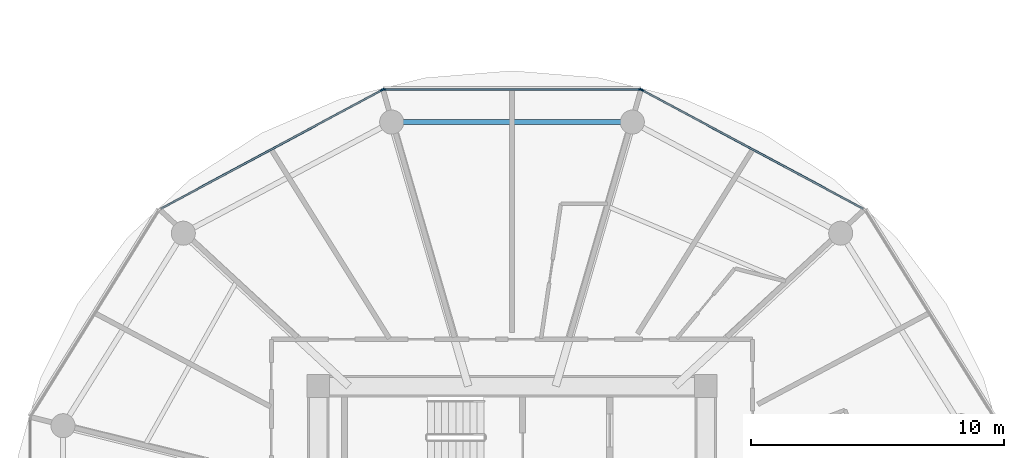
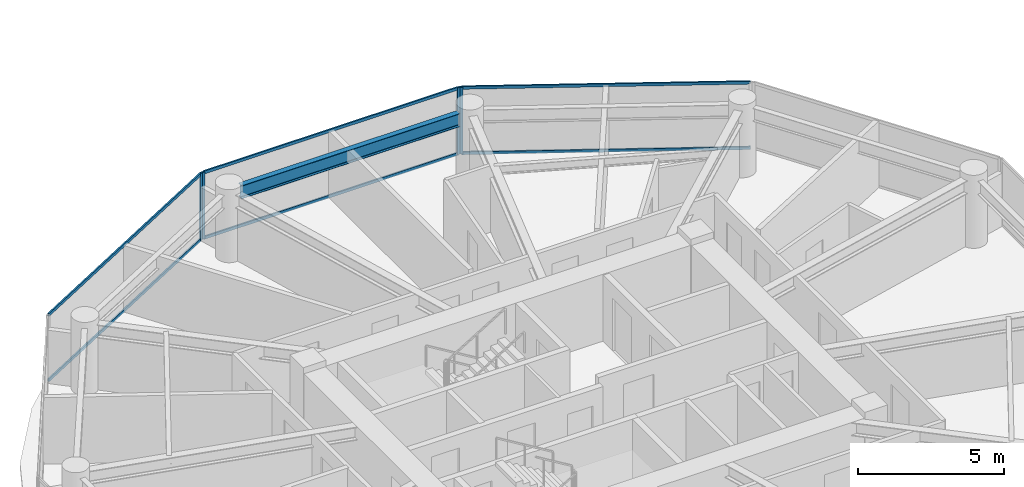
# One storey, part 9 of 26: 10 members, 1 beam, 3 elements without a shape of their own.
"""IFC4 building model written with IfcOpenShell, lengths in metres."""

import ifcopenshell
import ifcopenshell.guid

model = None  # the IFC model being written
_history = None  # IfcOwnerHistory: only IFC2X3 demands one
_inside = {}  # id of a spatial element -> (the spatial element, [elements in it])
_under = {}  # id of a project, library or spatial element -> (it, [spatial elements below it])
_declared = {}  # id of a project -> (the project, [libraries it declares])
_typed = {}  # id of a type object -> (the type object, [elements of that type])
_made_of = {}  # id of a material, layer set ... -> (it, [elements and type objects made of it])


def new_model(schema):
    """Start an empty IFC model of exactly this schema.

    Asked for "IFC4X3", IfcOpenShell would pick the latest addendum, in which some entities
    have other attributes; the version numbers below select the first issue.
    IFC2X3 requires an IfcOwnerHistory on every rooted entity: one is made here for all.
    """
    global model, _history
    if schema == "IFC4X3":
        model = ifcopenshell.file(schema_version=(4, 3, 0, 0))
    else:
        model = ifcopenshell.file(schema=schema)
    _inside.clear()
    _under.clear()
    _declared.clear()
    _typed.clear()
    _made_of.clear()
    _history = None
    if model.schema == "IFC2X3":
        org = make("IfcOrganization", Name="unknown")
        user = make(
            "IfcPersonAndOrganization",
            ThePerson=make("IfcPerson", FamilyName="unknown"),
            TheOrganization=org,
        )
        app = make(
            "IfcApplication",
            ApplicationDeveloper=org,
            Version="unknown",
            ApplicationFullName="unknown",
            ApplicationIdentifier="unknown",
        )
        _history = make(
            "IfcOwnerHistory",
            OwningUser=user,
            OwningApplication=app,
            ChangeAction="ADDED",
            CreationDate=0,
        )
    return model


def make(cls, **values):
    """One entity of the class cls with the attributes given. An attribute that is None is left unset."""
    return model.create_entity(
        cls, **{name: value for name, value in values.items() if value is not None}
    )


def rooted(cls, **values):
    """An entity with a GlobalId (a new one), such as an element, a storey or a relation."""
    return make(cls, GlobalId=ifcopenshell.guid.new(), OwnerHistory=_history, **values)


def si_unit(unit_type, name, prefix=None):
    """IfcSIUnit, for example si_unit("LENGTHUNIT", "METRE", prefix="MILLI")."""
    return make("IfcSIUnit", UnitType=unit_type, Prefix=prefix, Name=name)


def assignment(units):
    """IfcUnitAssignment: the units of a project."""
    return None if units is None else make("IfcUnitAssignment", Units=units)


def point(xyz):
    """IfcCartesianPoint."""
    return None if xyz is None else make("IfcCartesianPoint", Coordinates=xyz)


def direction(xyz):
    """IfcDirection."""
    return None if xyz is None else make("IfcDirection", DirectionRatios=xyz)


def frame(location, z_axis=None, x_axis=None):
    """IfcAxis2Placement3D, a coordinate frame: its origin and axes. An axis left out is left unset."""
    return make(
        "IfcAxis2Placement3D",
        Location=point(location),
        Axis=direction(z_axis),
        RefDirection=direction(x_axis),
    )


def frame_2d(location, x_axis=None):
    """IfcAxis2Placement2D, a coordinate frame in the plane: its origin and x axis."""
    return make(
        "IfcAxis2Placement2D", Location=point(location), RefDirection=direction(x_axis)
    )


def origin():
    """The frame at (0, 0, 0) with its axes left unset."""
    return frame((0.0, 0.0, 0.0))


def origin_2d():
    """The frame at (0, 0) in the plane with its x axis left unset."""
    return frame_2d((0.0, 0.0))


def place(relative_to, where):
    """IfcLocalPlacement: puts the frame where relative to a parent placement (None: the world)."""
    return make(
        "IfcLocalPlacement", PlacementRelTo=relative_to, RelativePlacement=where
    )


def context(
    kind, dimensions, precision=None, world=None, true_north=None, identifier=None
):
    """IfcGeometricRepresentationContext, for example the 3D "Model" context."""
    return make(
        "IfcGeometricRepresentationContext",
        ContextIdentifier=identifier,
        ContextType=kind,
        CoordinateSpaceDimension=dimensions,
        Precision=precision,
        WorldCoordinateSystem=world,
        TrueNorth=true_north,
    )


def subcontext(parent, identifier, kind, view, scale=None):
    """IfcGeometricRepresentationSubContext, for example "Body" below "Model"."""
    return make(
        "IfcGeometricRepresentationSubContext",
        ContextIdentifier=identifier,
        ContextType=kind,
        ParentContext=parent,
        TargetScale=scale,
        TargetView=view,
    )


def project(units=None, contexts=None):
    """IfcProject with its units and contexts."""
    return rooted(
        "IfcProject",
        Name="project",
        RepresentationContexts=contexts,
        UnitsInContext=assignment(units),
    )


def spatial(cls, under=None, at=None, **own):
    """A site, building, storey or space (cls), placed at a placement, below another one or the project."""
    s = rooted(cls, ObjectPlacement=at, **own)
    if under is not None:
        _under.setdefault(under.id(), (under, []))[1].append(s)
    return s


def profile(cls, at=None, kind="AREA", **sizes):
    """A parametric profile (cls). Its sizes go by their IFC names, for example OverallWidth=200.0."""
    return make(cls, ProfileType=kind, Position=at, **sizes)


def rectangle(**sizes):
    """IfcRectangleProfileDef."""
    return profile("IfcRectangleProfileDef", **sizes)


def i_section(**sizes):
    """IfcIShapeProfileDef."""
    return profile("IfcIShapeProfileDef", **sizes)


def extrude(swept, where, along, depth):
    """IfcExtrudedAreaSolid: the profile swept, set in the frame where, extruded along a direction by depth."""
    return make(
        "IfcExtrudedAreaSolid",
        SweptArea=swept,
        Position=where,
        ExtrudedDirection=direction(along),
        Depth=depth,
    )


def shape(context_of_items, identifier, shape_type, items):
    """IfcShapeRepresentation: the items that make up one representation, for example the "Body"."""
    return make(
        "IfcShapeRepresentation",
        ContextOfItems=context_of_items,
        RepresentationIdentifier=identifier,
        RepresentationType=shape_type,
        Items=items,
    )


def source(mapping_origin, context_of_items, identifier, shape_type, items):
    """IfcRepresentationMap: a shape defined once, which mapped items show again and again."""
    return make(
        "IfcRepresentationMap",
        MappingOrigin=mapping_origin,
        MappedRepresentation=shape(context_of_items, identifier, shape_type, items),
    )


def transform(
    local_origin,
    x_axis=None,
    y_axis=None,
    z_axis=None,
    scale=None,
    scale2=None,
    scale3=None,
    uniform=True,
):
    """IfcCartesianTransformationOperator3D, or its non-uniform kind. x_axis, y_axis, z_axis: its Axis1, 2, 3."""
    if uniform:
        return make(
            "IfcCartesianTransformationOperator3D",
            Axis1=direction(x_axis),
            Axis2=direction(y_axis),
            LocalOrigin=point(local_origin),
            Scale=scale,
            Axis3=direction(z_axis),
        )
    return make(
        "IfcCartesianTransformationOperator3DnonUniform",
        Axis1=direction(x_axis),
        Axis2=direction(y_axis),
        LocalOrigin=point(local_origin),
        Scale=scale,
        Axis3=direction(z_axis),
        Scale2=scale2,
        Scale3=scale3,
    )


def mapped(mapping_source, mapping_target):
    """IfcMappedItem: shows the shape of a source again, moved by a transform."""
    return make(
        "IfcMappedItem", MappingSource=mapping_source, MappingTarget=mapping_target
    )


def material(Name=None, Category=None):
    """IfcMaterial."""
    return make("IfcMaterial", Name=Name, Category=Category)


def layer(
    of_material, thickness, ventilated=None, Name=None, Category=None, Priority=None
):
    """IfcMaterialLayer: one layer of a wall or slab, of a material (None: an air gap)."""
    return make(
        "IfcMaterialLayer",
        Material=of_material,
        LayerThickness=thickness,
        IsVentilated=ventilated,
        Name=Name,
        Category=Category,
        Priority=Priority,
    )


def layer_set(layers, Name=None):
    """IfcMaterialLayerSet."""
    return make("IfcMaterialLayerSet", MaterialLayers=layers, LayerSetName=Name)


def material_profile(
    of_material, cross_section, Name=None, Category=None, Priority=None
):
    """IfcMaterialProfile: a cross section and its material."""
    return make(
        "IfcMaterialProfile",
        Name=Name,
        Material=of_material,
        Profile=cross_section,
        Priority=Priority,
        Category=Category,
    )


def profile_set(profiles, Name=None, composite=None):
    """IfcMaterialProfileSet."""
    return make(
        "IfcMaterialProfileSet",
        Name=Name,
        MaterialProfiles=profiles,
        CompositeProfile=composite,
    )


def made_of(thing, what):
    """Note that an element or type object is made of a material, layer set ...; save() writes the relation."""
    if what is not None:
        _made_of.setdefault(what.id(), (what, []))[1].append(thing)
    return thing


def type_object(cls, material=None, **own):
    """A type object (cls), such as IfcWallType, which elements share."""
    return made_of(rooted(cls, **own), material)


def type_shapes(of_type, sources):
    """Give a type object the sources (RepresentationMaps) that its elements show as mapped items."""
    of_type.RepresentationMaps = sources


def element(
    cls,
    number,
    at=None,
    inside=None,
    cuts=None,
    type_object=None,
    material=None,
    context=None,
    identifier="Body",
    shape_type=None,
    held_by="IfcProductDefinitionShape",
    body=None,
    shapes=None,
    **own,
):
    """One element of the class cls, such as IfcWall. Its Tag is "e" and its number.

    at: its placement. inside: the storey or other place that contains it. cuts: it is an
    opening in that element (IfcRelVoidsElement). A single representation is given by context,
    identifier, shape_type and body (its items); several are given by shapes. held_by: the class
    of the entity that holds the representations. save() writes the other relations.
    """
    e = rooted(cls, Tag="e%d" % number, ObjectPlacement=at, **own)
    if body is not None:
        shapes = [shape(context, identifier, shape_type, body)]
    if shapes is not None:
        e.Representation = make(held_by, Representations=shapes)
    if inside is not None:
        _inside.setdefault(inside.id(), (inside, []))[1].append(e)
    if cuts is not None:
        rooted(
            "IfcRelVoidsElement", RelatingBuildingElement=cuts, RelatedOpeningElement=e
        )
    if type_object is not None:
        _typed.setdefault(type_object.id(), (type_object, []))[1].append(e)
    return made_of(e, material)


def aggregate(whole, parts):
    """IfcRelAggregates: a whole, such as a stair, and the parts it consists of."""
    return rooted("IfcRelAggregates", RelatingObject=whole, RelatedObjects=parts)


def save(model, path):
    """Write the relations noted so far, then the file.

    IfcRelAggregates (storeys below a building ...), IfcRelContainedInSpatialStructure (elements
    in a storey), IfcRelDefinesByType, IfcRelAssociatesMaterial and IfcRelDeclares: one each for
    every whole, place, type object, material and project.
    """
    for whole, parts in _under.values():
        aggregate(whole, parts)
    for where, things in _inside.values():
        rooted(
            "IfcRelContainedInSpatialStructure",
            RelatedElements=things,
            RelatingStructure=where,
        )
    for kind, things in _typed.values():
        rooted("IfcRelDefinesByType", RelatedObjects=things, RelatingType=kind)
    for what, things in _made_of.values():
        rooted("IfcRelAssociatesMaterial", RelatedObjects=things, RelatingMaterial=what)
    for by, libraries in _declared.values():
        rooted("IfcRelDeclares", RelatingContext=by, RelatedDefinitions=libraries)
    model.write(path)


model = new_model("IFC4")

# Units and contexts
model_context = context("Model", 3, precision=1e-05, world=origin(), true_north=direction((0.0, 1.0)))
body_context = subcontext(model_context, "Body", "Model", "MODEL_VIEW")
ifc_project = project(units=[si_unit("LENGTHUNIT", "METRE"), si_unit("AREAUNIT", "SQUARE_METRE"), si_unit("VOLUMEUNIT", "CUBIC_METRE"), si_unit("PLANEANGLEUNIT", "RADIAN"), si_unit("MASSUNIT", "GRAM", prefix="KILO")], contexts=[model_context])

# Site, building, storey
site_placement = place(None, origin())
site = spatial("IfcSite", under=ifc_project, at=site_placement, CompositionType="ELEMENT")
building_placement = place(site_placement, origin())
building = spatial("IfcBuilding", under=site, at=building_placement, Name="Norrkilde Senior Care Towers", CompositionType="ELEMENT")
storey_placement = place(building_placement, frame((0.0, 0.0, 49.050048828125)))
storey = spatial("IfcBuildingStorey", under=building, at=storey_placement, Name="L14", CompositionType="ELEMENT", Elevation=49.050048828125)

# Beam
ifc_material_1 = material(Name="Steel S355", Category="steel")
ifc_material_profile_1 = material_profile(ifc_material_1, i_section(OverallWidth=0.2099609375, OverallDepth=0.550048828125, WebThickness=0.010986328125, FlangeThickness=0.01708984375, FilletRadius=0.02392578125, at=origin_2d()), Name="IPE 550")
ifc_profile_set_1 = profile_set([ifc_material_profile_1], Name="Steel S355")
beam_type = type_object("IfcBeamType", Name="Perimeter Ring Spandrel Z1 IPE550", PredefinedType="SPANDREL", material=ifc_profile_set_1)
shared_shape_1 = source(origin(), body_context, "Body", "SweptSolid", [
    extrude(i_section(OverallWidth=0.2099609375, OverallDepth=0.550048828125, WebThickness=0.010986328125, FlangeThickness=0.01708984375, FilletRadius=0.02392578125, at=origin_2d()), origin(), (0.0, 0.0, 1.0), 8.62841796875),
])
type_shapes(beam_type, [shared_shape_1])
beam_placement = place(storey_placement, frame((-23.685791015625, 16.37255859375, 2.514892578125), z_axis=(-1.0, 0.0, 0.0), x_axis=(0.0, -1.0, 0.0)))
element("IfcBeam", 1, at=beam_placement, inside=storey, type_object=beam_type, Name="L14 Drum W Perimeter Spandrel 03", PredefinedType="SPANDREL", context=body_context, shape_type="MappedRepresentation", body=[
    mapped(shared_shape_1, transform((0.0, 0.0, 0.0), x_axis=(1.0, 0.0, 0.0), y_axis=(0.0, 1.0, 0.0), z_axis=(0.0, 0.0, 1.0), scale=1.0)),
])

# Curtain wall, member
ifc_material_2 = material(Name="Triple Low-E Insulated Glazing", Category="glass")
ifc_layer = layer(ifc_material_2, 0.199951171875)
ifc_layer_set = layer_set([ifc_layer], Name="Triple Low-E Insulated Glazing")
curtain_wall_type = type_object("IfcCurtainWallType", Name="CW2 Zone 1 Memory Care Curtain Wall", PredefinedType="NOTDEFINED", material=ifc_layer_set)
curtain_wall_1_placement = place(storey_placement, origin())
curtain_wall_1 = element("IfcCurtainWall", 2, at=curtain_wall_1_placement, inside=storey, type_object=curtain_wall_type, Name="L14 Drum W Curtain Wall 01", PredefinedType="NOTDEFINED")
ifc_material_3 = material(Name="Anodised Aluminium", Category="aluminium")
ifc_material_profile_2 = material_profile(ifc_material_3, rectangle(XDim=0.06494140625, YDim=0.159912109375, at=origin_2d()), Name="ALU MULL 65x160")
ifc_profile_set_2 = profile_set([ifc_material_profile_2], Name="Anodised Aluminium")
member_type_1 = type_object("IfcMemberType", Name="Curtain Wall Mullion Z1-Z2 65x160", PredefinedType="MULLION", material=ifc_profile_set_2)
shared_shape_2 = source(origin(), body_context, "Body", "SweptSolid", [
    extrude(rectangle(XDim=0.06494140625, YDim=0.159912109375, at=origin_2d()), origin(), (0.0, 0.0, 1.0), 2.7900390625),
])
type_shapes(member_type_1, [shared_shape_2])
member_1_placement = place(storey_placement, frame((-22.877685546875, 17.641845703125, 0.0), z_axis=(0.0, 0.0, 1.0), x_axis=(0.472607802456, 0.881272866403, 0.0)))
member_1 = element("IfcMember", 3, at=member_1_placement, type_object=member_type_1, Name="CW-2 mullion 1", PredefinedType="MULLION", context=body_context, shape_type="MappedRepresentation", body=[
    mapped(shared_shape_2, transform((0.0, 0.0, 0.0), x_axis=(1.0, 0.0, 0.0), y_axis=(0.0, 1.0, 0.0), z_axis=(0.0, 0.0, 1.0), scale=1.0)),
])

# Curtain wall, members
curtain_wall_2_placement = place(storey_placement, origin())
curtain_wall_2 = element("IfcCurtainWall", 4, at=curtain_wall_2_placement, inside=storey, type_object=curtain_wall_type, Name="L14 Drum W Curtain Wall 02", PredefinedType="NOTDEFINED")
member_2_placement = place(storey_placement, frame((-33.06103515625, 17.6572265625, 0.0), z_axis=(0.0, 0.0, 1.0), x_axis=(0.0, 1.0, 0.0)))
member_2 = element("IfcMember", 5, at=member_2_placement, type_object=member_type_1, Name="CW-2 mullion 1", PredefinedType="MULLION", context=body_context, shape_type="MappedRepresentation", body=[
    mapped(shared_shape_2, transform((0.0, 0.0, 0.0), x_axis=(1.0, 0.0, 0.0), y_axis=(0.0, 1.0, 0.0), z_axis=(0.0, 0.0, 1.0), scale=1.0)),
])
member_3_placement = place(storey_placement, frame((-22.93896484375, 17.6572265625, 0.0), z_axis=(0.0, 0.0, 1.0), x_axis=(0.0, 1.0, 0.0)))
member_3 = element("IfcMember", 6, at=member_3_placement, type_object=member_type_1, Name="CW-2 mullion 2", PredefinedType="MULLION", context=body_context, shape_type="MappedRepresentation", body=[
    mapped(shared_shape_2, transform((0.0, 0.0, 0.0), x_axis=(1.0, 0.0, 0.0), y_axis=(0.0, 1.0, 0.0), z_axis=(0.0, 0.0, 1.0), scale=1.0)),
])

# Curtain wall, member
curtain_wall_3_placement = place(storey_placement, origin())
curtain_wall_3 = element("IfcCurtainWall", 7, at=curtain_wall_3_placement, inside=storey, type_object=curtain_wall_type, Name="L14 Drum W Curtain Wall 03", PredefinedType="NOTDEFINED")
member_4_placement = place(storey_placement, frame((-33.122314453125, 17.641845703125, 0.0), z_axis=(0.0, 0.0, 1.0), x_axis=(-0.472607802456, 0.881272866403, 0.0)))
member_4 = element("IfcMember", 8, at=member_4_placement, type_object=member_type_1, Name="CW-2 mullion 2", PredefinedType="MULLION", context=body_context, shape_type="MappedRepresentation", body=[
    mapped(shared_shape_2, transform((0.0, 0.0, 0.0), x_axis=(1.0, 0.0, 0.0), y_axis=(0.0, 1.0, 0.0), z_axis=(0.0, 0.0, 1.0), scale=1.0)),
])

# Member
ifc_material_profile_3 = material_profile(ifc_material_3, rectangle(XDim=0.06005859375, YDim=0.1201171875, at=origin_2d()), Name="ALU TRAN 60x120")
ifc_profile_set_3 = profile_set([ifc_material_profile_3], Name="Anodised Aluminium")
member_type_2 = type_object("IfcMemberType", Name="Curtain Wall Transom Typical 60x120", PredefinedType="USERDEFINED", material=ifc_profile_set_3)
shared_shape_3 = source(origin(), body_context, "Body", "SweptSolid", [
    extrude(rectangle(XDim=0.06005859375, YDim=0.1201171875, at=origin_2d()), origin(), (0.0, 0.0, 1.0), 9.880859375),
])
member_5_placement = place(storey_placement, frame((-22.84912109375, 17.62646484375, 0.030029296875), z_axis=(0.881267204043, -0.47261836092, 0.0), x_axis=(0.47261836092, 0.881267204043, 0.0)))
member_5 = element("IfcMember", 9, at=member_5_placement, type_object=member_type_2, Name="CW-2 transom 1.1", ObjectType="TRANSOM", PredefinedType="USERDEFINED", context=body_context, shape_type="MappedRepresentation", body=[
    mapped(shared_shape_3, transform((0.0, 0.0, 0.0), x_axis=(1.0, 0.0, 0.0), y_axis=(0.0, 1.0, 0.0), z_axis=(0.0, 0.0, 1.0), scale=1.0)),
])

member_6_placement = place(storey_placement, frame((-22.84912109375, 17.62646484375, 2.760009765625), z_axis=(0.881267204043, -0.47261836092, 0.0), x_axis=(0.47261836092, 0.881267204043, 0.0)))
member_6 = element("IfcMember", 10, at=member_6_placement, type_object=member_type_2, Name="CW-2 transom 1.2", ObjectType="TRANSOM", PredefinedType="USERDEFINED", context=body_context, shape_type="MappedRepresentation", body=[
    mapped(shared_shape_3, transform((0.0, 0.0, 0.0), x_axis=(1.0, 0.0, 0.0), y_axis=(0.0, 1.0, 0.0), z_axis=(0.0, 0.0, 1.0), scale=1.0)),
])

aggregate(curtain_wall_1, [member_1, member_5, member_6])

member_7_placement = place(storey_placement, frame((-41.858642578125, 12.95654296875, 0.030029296875), z_axis=(0.881267204043, 0.47261836092, 0.0), x_axis=(-0.47261836092, 0.881267204043, 0.0)))
member_7 = element("IfcMember", 11, at=member_7_placement, type_object=member_type_2, Name="CW-2 transom 1.1", ObjectType="TRANSOM", PredefinedType="USERDEFINED", context=body_context, shape_type="MappedRepresentation", body=[
    mapped(shared_shape_3, transform((0.0, 0.0, 0.0), x_axis=(1.0, 0.0, 0.0), y_axis=(0.0, 1.0, 0.0), z_axis=(0.0, 0.0, 1.0), scale=1.0)),
])

member_8_placement = place(storey_placement, frame((-41.858642578125, 12.95654296875, 2.760009765625), z_axis=(0.881267204043, 0.47261836092, 0.0), x_axis=(-0.47261836092, 0.881267204043, 0.0)))
member_8 = element("IfcMember", 12, at=member_8_placement, type_object=member_type_2, Name="CW-2 transom 1.2", ObjectType="TRANSOM", PredefinedType="USERDEFINED", context=body_context, shape_type="MappedRepresentation", body=[
    mapped(shared_shape_3, transform((0.0, 0.0, 0.0), x_axis=(1.0, 0.0, 0.0), y_axis=(0.0, 1.0, 0.0), z_axis=(0.0, 0.0, 1.0), scale=1.0)),
])

aggregate(curtain_wall_3, [member_4, member_7, member_8])

shared_shape_4 = source(origin(), body_context, "Body", "SweptSolid", [
    extrude(rectangle(XDim=0.06005859375, YDim=0.1201171875, at=origin_2d()), origin(), (0.0, 0.0, 1.0), 10.05712890625),
])
type_shapes(member_type_2, [shared_shape_3, shared_shape_4])
member_9_placement = place(storey_placement, frame((-33.028564453125, 17.6572265625, 0.030029296875), z_axis=(1.0, 0.0, 0.0), x_axis=(0.0, 1.0, 0.0)))
member_9 = element("IfcMember", 13, at=member_9_placement, type_object=member_type_2, Name="CW-2 transom 1.1", ObjectType="TRANSOM", PredefinedType="USERDEFINED", context=body_context, shape_type="MappedRepresentation", body=[
    mapped(shared_shape_4, transform((0.0, 0.0, 0.0), x_axis=(1.0, 0.0, 0.0), y_axis=(0.0, 1.0, 0.0), z_axis=(0.0, 0.0, 1.0), scale=1.0)),
])

member_10_placement = place(storey_placement, frame((-33.028564453125, 17.6572265625, 2.760009765625), z_axis=(1.0, 0.0, 0.0), x_axis=(0.0, 1.0, 0.0)))
member_10 = element("IfcMember", 14, at=member_10_placement, type_object=member_type_2, Name="CW-2 transom 1.2", ObjectType="TRANSOM", PredefinedType="USERDEFINED", context=body_context, shape_type="MappedRepresentation", body=[
    mapped(shared_shape_4, transform((0.0, 0.0, 0.0), x_axis=(1.0, 0.0, 0.0), y_axis=(0.0, 1.0, 0.0), z_axis=(0.0, 0.0, 1.0), scale=1.0)),
])

aggregate(curtain_wall_2, [member_2, member_3, member_9, member_10])

save(model, "model.ifc")
